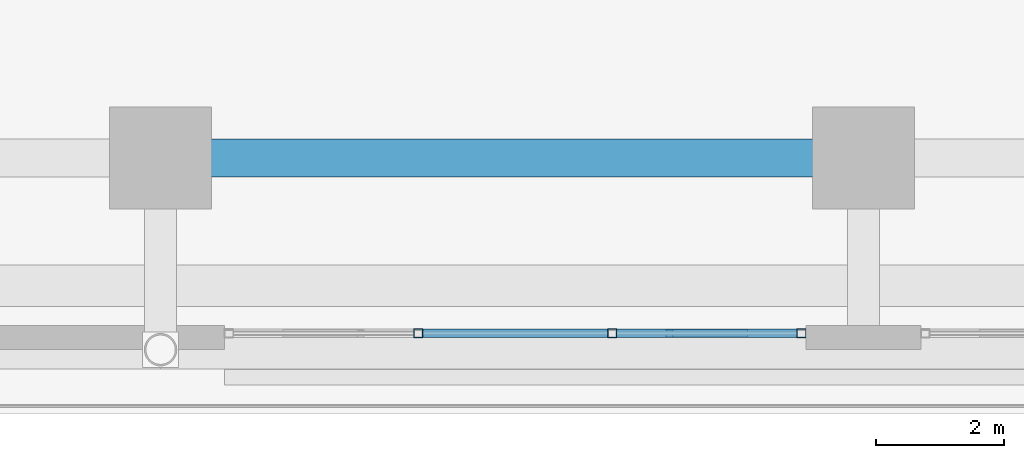
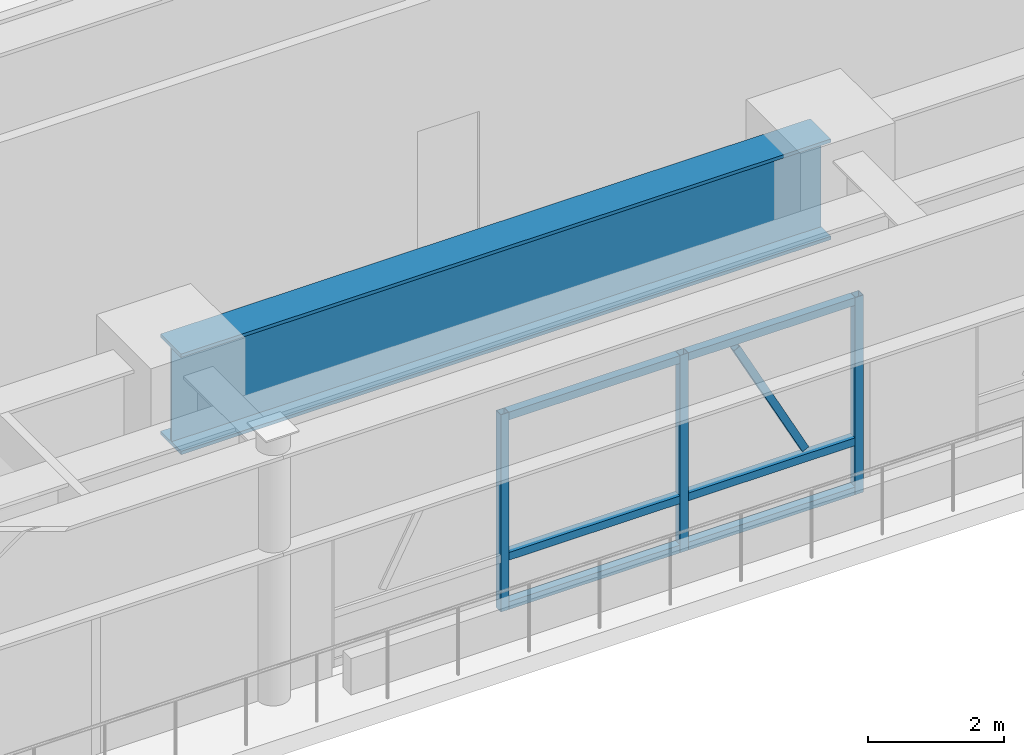
# One storey, part 10 of 38: 10 members, 1 beam, 1 element without a shape of its own.
"""IFC4 building model written with IfcOpenShell, lengths in metres."""

from ifc_helpers import new_model, si_unit, direction, frame, origin, origin_2d, place, context, subcontext, project, spatial, hollow_rectangle, i_section, extrude, source, transform, mapped, material, material_profile, profile_set, type_object, element, aggregate, save


model = new_model("IFC4")

# Units and contexts
model_context = context("Model", 3, precision=1e-05, world=origin(), true_north=direction((0.0, 1.0)))
body_context = subcontext(model_context, "Body", "Model", "MODEL_VIEW")
ifc_project = project(units=[si_unit("LENGTHUNIT", "METRE"), si_unit("AREAUNIT", "SQUARE_METRE"), si_unit("VOLUMEUNIT", "CUBIC_METRE"), si_unit("PLANEANGLEUNIT", "RADIAN"), si_unit("MASSUNIT", "GRAM", prefix="KILO")], contexts=[model_context])

# Site, building, storey
site_placement = place(None, origin())
site = spatial("IfcSite", under=ifc_project, at=site_placement, CompositionType="ELEMENT")
building_placement = place(site_placement, origin())
building = spatial("IfcBuilding", under=site, at=building_placement, Name="Khorayat Bourse Tower", CompositionType="ELEMENT")
storey_placement = place(building_placement, frame((0.0, 0.0, 17.39990234375)))
storey = spatial("IfcBuildingStorey", under=building, at=storey_placement, Name="L03", CompositionType="ELEMENT", Elevation=17.39990234375)

# Beam
ifc_material_1 = material(Name="Steel EN 10025-4 S460M", Category="steel")
ifc_material_profile_1 = material_profile(ifc_material_1, i_section(OverallWidth=0.60009765625, OverallDepth=1.800048828125, WebThickness=0.031982421875, FlangeThickness=0.06005859375, at=origin_2d()), Name="PG 1800x600x32x60")
ifc_profile_set_1 = profile_set([ifc_material_profile_1], Name="Steel EN 10025-4 S460M")
beam_type = type_object("IfcBeamType", Name="BM-TR-1800", PredefinedType="BEAM", material=ifc_profile_set_1)
shared_shape_1 = source(origin(), body_context, "Body", "SweptSolid", [
    extrude(i_section(OverallWidth=0.60009765625, OverallDepth=1.800048828125, WebThickness=0.031982421875, FlangeThickness=0.06005859375, at=origin_2d()), origin(), (0.0, 0.0, 1.0), 11.0),
])
beam_placement = place(storey_placement, frame((-11.0, -32.0, 3.580078125), z_axis=(1.0, 0.0, 0.0), x_axis=(0.0, 1.0, 0.0)))
element("IfcBeam", 1, at=beam_placement, inside=storey, type_object=beam_type, Name="L03 BM-TR-1800 BM-L03-PGX-039", PredefinedType="BEAM", context=body_context, shape_type="MappedRepresentation", body=[
    mapped(shared_shape_1, transform((0.0, 0.0, 0.0), scale=1.0)),
])

# Curtain wall, members
ifc_material_2 = material(Name="Aluminium EN AW-6063 T6", Category="aluminium")
curtain_wall_type = type_object("IfcCurtainWallType", Name="CW-SYS-01", PredefinedType="NOTDEFINED", material=ifc_material_2)
curtain_wall_placement = place(storey_placement, origin())
curtain_wall = element("IfcCurtainWall", 2, at=curtain_wall_placement, inside=storey, type_object=curtain_wall_type, Name="L03 Curtain Wall CW-L03-SW", PredefinedType="NOTDEFINED")
ifc_material_profile_2 = material_profile(ifc_material_2, hollow_rectangle(XDim=0.139892578125, YDim=0.139892578125, WallThickness=0.006103515625, at=origin_2d()), Name="ALU 140x140x6")
ifc_profile_set_2 = profile_set([ifc_material_profile_2], Name="Aluminium EN AW-6063 T6")
member_type_1 = type_object("IfcMemberType", Name="CWT-HORZ-140", PredefinedType="USERDEFINED", material=ifc_profile_set_2)
shared_shape_2 = source(origin(), body_context, "Body", "SweptSolid", [
    extrude(hollow_rectangle(XDim=0.139892578125, YDim=0.139892578125, WallThickness=0.006103515625, at=origin_2d()), origin(), (0.0, 0.0, 1.0), 2.893310546875),
])
member_1_placement = place(storey_placement, frame((-6.896728515625, -34.742919921875, 0.070068359375), z_axis=(1.0, 0.0, 0.0), x_axis=(0.0, 1.0, 0.0)))
member_1 = element("IfcMember", 3, at=member_1_placement, type_object=member_type_1, Name="CW-L03-SW Horizontal Transom 2-1", ObjectType="TRANSOM", PredefinedType="USERDEFINED", context=body_context, shape_type="MappedRepresentation", body=[
    mapped(shared_shape_2, transform((0.0, 0.0, 0.0), scale=1.0)),
])
member_2_placement = place(storey_placement, frame((-6.896728515625, -34.742919921875, 0.9501953125), z_axis=(1.0, 0.0, 0.0), x_axis=(0.0, 1.0, 0.0)))
member_2 = element("IfcMember", 4, at=member_2_placement, type_object=member_type_1, Name="CW-L03-SW Horizontal Transom 2-2", ObjectType="TRANSOM", PredefinedType="USERDEFINED", context=body_context, shape_type="MappedRepresentation", body=[
    mapped(shared_shape_2, transform((0.0, 0.0, 0.0), scale=1.0)),
])
member_3_placement = place(storey_placement, frame((-6.896728515625, -34.742919921875, 3.460205078125), z_axis=(1.0, 0.0, 0.0), x_axis=(0.0, 1.0, 0.0)))
member_3 = element("IfcMember", 5, at=member_3_placement, type_object=member_type_1, Name="CW-L03-SW Horizontal Transom 2-3", ObjectType="TRANSOM", PredefinedType="USERDEFINED", context=body_context, shape_type="MappedRepresentation", body=[
    mapped(shared_shape_2, transform((0.0, 0.0, 0.0), scale=1.0)),
])
shared_shape_3 = source(origin(), body_context, "Body", "SweptSolid", [
    extrude(hollow_rectangle(XDim=0.139892578125, YDim=0.139892578125, WallThickness=0.006103515625, at=origin_2d()), origin(), (0.0, 0.0, 1.0), 2.8232421875),
])
member_4_placement = place(storey_placement, frame((-3.86328125, -34.742919921875, 0.070068359375), z_axis=(1.0, 0.0, 0.0), x_axis=(0.0, 1.0, 0.0)))
member_4 = element("IfcMember", 6, at=member_4_placement, type_object=member_type_1, Name="CW-L03-SW Horizontal Transom 3-1", ObjectType="TRANSOM", PredefinedType="USERDEFINED", context=body_context, shape_type="MappedRepresentation", body=[
    mapped(shared_shape_3, transform((0.0, 0.0, 0.0), scale=1.0)),
])
member_5_placement = place(storey_placement, frame((-3.86328125, -34.742919921875, 0.9501953125), z_axis=(1.0, 0.0, 0.0), x_axis=(0.0, 1.0, 0.0)))
member_5 = element("IfcMember", 7, at=member_5_placement, type_object=member_type_1, Name="CW-L03-SW Horizontal Transom 3-2", ObjectType="TRANSOM", PredefinedType="USERDEFINED", context=body_context, shape_type="MappedRepresentation", body=[
    mapped(shared_shape_3, transform((0.0, 0.0, 0.0), scale=1.0)),
])
member_6_placement = place(storey_placement, frame((-3.86328125, -34.742919921875, 3.460205078125), z_axis=(1.0, 0.0, 0.0), x_axis=(0.0, 1.0, 0.0)))
member_6 = element("IfcMember", 8, at=member_6_placement, type_object=member_type_1, Name="CW-L03-SW Horizontal Transom 3-3", ObjectType="TRANSOM", PredefinedType="USERDEFINED", context=body_context, shape_type="MappedRepresentation", body=[
    mapped(shared_shape_3, transform((0.0, 0.0, 0.0), scale=1.0)),
])
ifc_material_profile_3 = material_profile(ifc_material_2, hollow_rectangle(XDim=0.139892578125, YDim=0.139892578125, WallThickness=0.006103515625, at=origin_2d()), Name="ALU 140x140x6")
ifc_profile_set_3 = profile_set([ifc_material_profile_3], Name="Aluminium EN AW-6063 T6")
member_type_2 = type_object("IfcMemberType", Name="CWM-VERT-140", PredefinedType="MULLION", material=ifc_profile_set_3)
shared_shape_4 = source(origin(), body_context, "Body", "SweptSolid", [
    extrude(hollow_rectangle(XDim=0.139892578125, YDim=0.139892578125, WallThickness=0.006103515625, at=origin_2d()), origin(), (0.0, 0.0, 1.0), 3.530029296875),
])
member_7_placement = place(storey_placement, frame((-6.966552734375, -34.742919921875, 0.0), z_axis=(0.0, 0.0, 1.0), x_axis=(0.0, 1.0, 0.0)))
member_7 = element("IfcMember", 9, at=member_7_placement, type_object=member_type_2, Name="CW-L03-SW Vertical Mullion 2", PredefinedType="MULLION", context=body_context, shape_type="MappedRepresentation", body=[
    mapped(shared_shape_4, transform((0.0, 0.0, 0.0), scale=1.0)),
])
member_8_placement = place(storey_placement, frame((-3.933349609375, -34.742919921875, 0.0), z_axis=(0.0, 0.0, 1.0), x_axis=(0.0, 1.0, 0.0)))
member_8 = element("IfcMember", 10, at=member_8_placement, type_object=member_type_2, Name="CW-L03-SW Vertical Mullion 3", PredefinedType="MULLION", context=body_context, shape_type="MappedRepresentation", body=[
    mapped(shared_shape_4, transform((0.0, 0.0, 0.0), scale=1.0)),
])
member_9_placement = place(storey_placement, frame((-0.969970703125, -34.742919921875, 0.0), z_axis=(0.0, 0.0, 1.0), x_axis=(0.0, 1.0, 0.0)))
member_9 = element("IfcMember", 11, at=member_9_placement, type_object=member_type_2, Name="CW-L03-SW Vertical Mullion 4", PredefinedType="MULLION", context=body_context, shape_type="MappedRepresentation", body=[
    mapped(shared_shape_4, transform((0.0, 0.0, 0.0), scale=1.0)),
])
ifc_material_profile_4 = material_profile(ifc_material_2, hollow_rectangle(XDim=0.1201171875, YDim=0.1201171875, WallThickness=0.0048828125, at=origin_2d()), Name="ALU 120x120x5")
ifc_profile_set_4 = profile_set([ifc_material_profile_4], Name="Aluminium EN AW-6063 T6")
member_type_3 = type_object("IfcMemberType", Name="CWM-DIAG-120", PredefinedType="MULLION", material=ifc_profile_set_4)
shared_shape_5 = source(origin(), body_context, "Body", "SweptSolid", [
    extrude(hollow_rectangle(XDim=0.1201171875, YDim=0.1201171875, WallThickness=0.0048828125, at=origin_2d()), origin(), (0.0, 0.0, 1.0), 2.497314453125),
])
member_10_placement = place(storey_placement, frame((-1.8701171875, -34.742919921875, 1.10009765625), z_axis=(-0.465730316081, 0.0, 0.884926704695), x_axis=(0.0, -1.0, 0.0)))
member_10 = element("IfcMember", 12, at=member_10_placement, type_object=member_type_3, Name="CW-L03-SW Faceted Diagonal Mullion 3", PredefinedType="MULLION", context=body_context, shape_type="MappedRepresentation", body=[
    mapped(shared_shape_5, transform((0.0, 0.0, 0.0), scale=1.0)),
])
aggregate(curtain_wall, [member_7, member_8, member_9, member_1, member_2, member_3, member_4, member_5, member_6, member_10])

save(model, "model.ifc")
